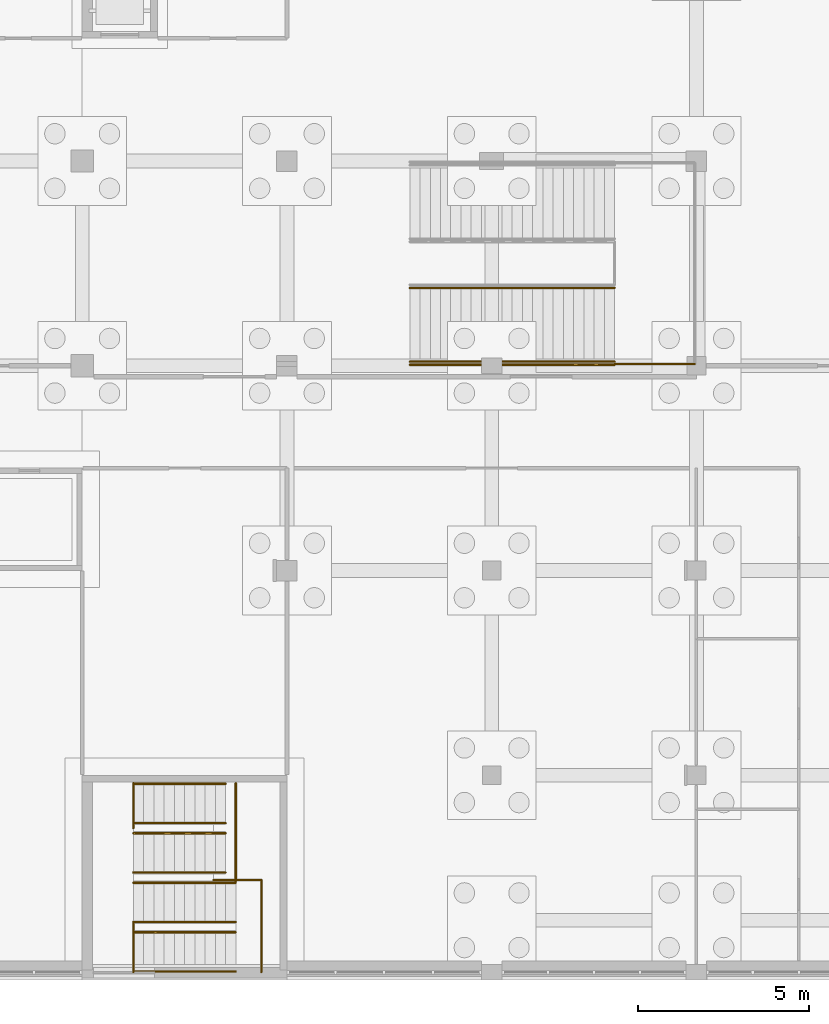
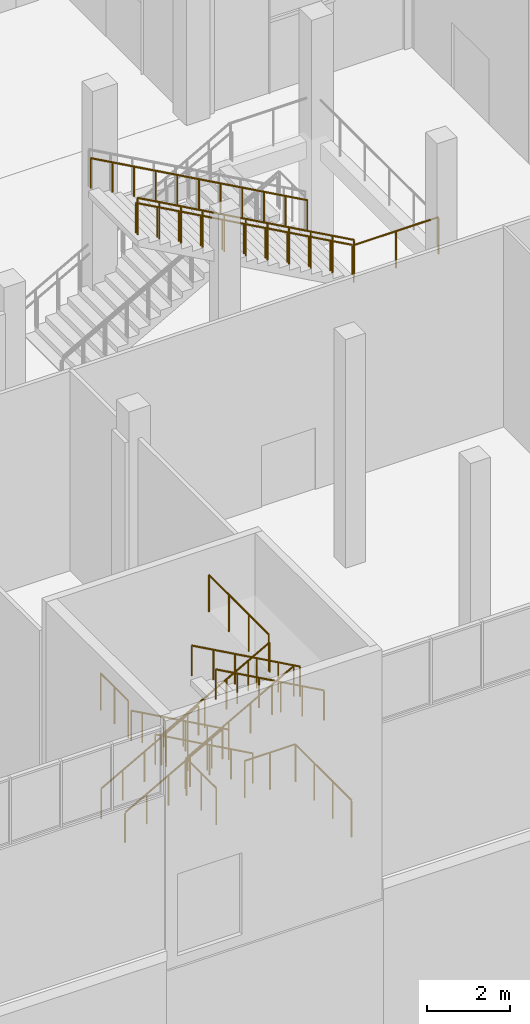
# One storey, part 63 of 95: 17 railings.
"""IFC4 building model written with IfcOpenShell, lengths in metres."""

from ifc_helpers import new_model, si_unit, direction, frame, origin, origin_2d, place, context, subcontext, project, spatial, circle, extrude, material, type_object, element, save


model = new_model("IFC4")

# Units and contexts
model_context = context("Model", 3, precision=1e-05, world=origin(), true_north=direction((0.0, 1.0)))
body_context = subcontext(model_context, "Body", "Model", "MODEL_VIEW")
ifc_project = project(units=[si_unit("LENGTHUNIT", "METRE"), si_unit("AREAUNIT", "SQUARE_METRE"), si_unit("VOLUMEUNIT", "CUBIC_METRE"), si_unit("PLANEANGLEUNIT", "RADIAN"), si_unit("MASSUNIT", "GRAM", prefix="KILO")], contexts=[model_context])

# Site, building, storey
site_placement = place(None, origin())
site = spatial("IfcSite", under=ifc_project, at=site_placement, CompositionType="ELEMENT")
building_placement = place(site_placement, origin())
building = spatial("IfcBuilding", under=site, at=building_placement, Name="Saffron Lane Theatres", CompositionType="ELEMENT")
storey_placement = place(building_placement, origin())
storey = spatial("IfcBuildingStorey", under=building, at=storey_placement, Name="L00", CompositionType="ELEMENT", Elevation=0.0)

# Railings
ifc_material_1 = material(Name="Steel Grade 350", Category="steel")
railing_type_1 = type_object("IfcRailingType", Name="VC-GUARD 1100", PredefinedType="GUARDRAIL", material=ifc_material_1)
railing_1_placement = place(storey_placement, frame((41.25, 2.89990234375, 1.666748046875)))
element("IfcRailing", 1, at=railing_1_placement, inside=storey, type_object=railing_type_1, Name="Studio South Stair landing guard 1N1s", PredefinedType="GUARDRAIL", context=body_context, shape_type="SweptSolid", body=[
    extrude(circle(Radius=0.02392578125, at=origin_2d()), frame((0.0, 0.0, 1.076171875), z_axis=(0.0, -1.0, 0.0), x_axis=(1.0, 0.0, 0.0)), (0.0, 0.0, 1.0), 2.669921875),
    extrude(circle(Radius=0.02099609375, at=origin_2d()), origin(), (0.0, 0.0, 1.0), 1.052001953125),
    extrude(circle(Radius=0.02099609375, at=origin_2d()), frame((0.0, -0.889892578125, 0.0)), (0.0, 0.0, 1.0), 1.052001953125),
    extrude(circle(Radius=0.02099609375, at=origin_2d()), frame((0.0, -1.780029296875, 0.0)), (0.0, 0.0, 1.0), 1.052001953125),
    extrude(circle(Radius=0.02099609375, at=origin_2d()), frame((0.0, -2.669921875, 0.0)), (0.0, 0.0, 1.0), 1.052001953125),
])
railing_2_placement = place(storey_placement, frame((39.85009765625, 2.929931640625, 1.666748046875)))
element("IfcRailing", 2, at=railing_2_placement, inside=storey, type_object=railing_type_1, Name="Studio South Stair landing guard 1N1e", PredefinedType="GUARDRAIL", context=body_context, shape_type="SweptSolid", body=[
    extrude(circle(Radius=0.02392578125, at=origin_2d()), frame((0.0, 0.0, 1.076171875), z_axis=(1.0, 0.0, 0.0), x_axis=(0.0, 1.0, 0.0)), (0.0, 0.0, 1.0), 1.39990234375),
    extrude(circle(Radius=0.02099609375, at=origin_2d()), origin(), (0.0, 0.0, 1.0), 1.052001953125),
    extrude(circle(Radius=0.02099609375, at=origin_2d()), frame((0.699951171875, 0.0, 0.0)), (0.0, 0.0, 1.0), 1.052001953125),
    extrude(circle(Radius=0.02099609375, at=origin_2d()), frame((1.39990234375, 0.0, 0.0)), (0.0, 0.0, 1.0), 1.052001953125),
])
railing_3_placement = place(storey_placement, frame((40.5, 5.77001953125, 5.166748046875)))
element("IfcRailing", 3, at=railing_3_placement, inside=storey, type_object=railing_type_1, Name="Studio South Stair landing guard 1N2s", PredefinedType="GUARDRAIL", context=body_context, shape_type="SweptSolid", body=[
    extrude(circle(Radius=0.02392578125, at=origin_2d()), frame((0.0, 0.0, 1.076171875), z_axis=(0.0, -1.0, 0.0), x_axis=(1.0, 0.0, 0.0)), (0.0, 0.0, 1.0), 2.8701171875),
    extrude(circle(Radius=0.02099609375, at=origin_2d()), origin(), (0.0, 0.0, 1.0), 1.052001953125),
    extrude(circle(Radius=0.02099609375, at=origin_2d()), frame((0.0, -0.956787109375, 0.0)), (0.0, 0.0, 1.0), 1.052001953125),
    extrude(circle(Radius=0.02099609375, at=origin_2d()), frame((0.0, -1.913330078125, 0.0)), (0.0, 0.0, 1.0), 1.052001953125),
    extrude(circle(Radius=0.02099609375, at=origin_2d()), frame((0.0, -2.8701171875, 0.0)), (0.0, 0.0, 1.0), 1.052001953125),
])
railing_4_placement = place(storey_placement, frame((37.5, 5.77001953125, 3.333251953125)))
element("IfcRailing", 4, at=railing_4_placement, inside=storey, type_object=railing_type_1, Name="Studio South Stair landing guard 1S2w", PredefinedType="GUARDRAIL", context=body_context, shape_type="SweptSolid", body=[
    extrude(circle(Radius=0.02392578125, at=origin_2d()), frame((0.0, 0.0, 1.076171875), z_axis=(0.0, -1.0, 0.0), x_axis=(1.0, 0.0, 0.0)), (0.0, 0.0, 1.0), 1.320068359375),
    extrude(circle(Radius=0.02099609375, at=origin_2d()), origin(), (0.0, 0.0, 1.0), 1.052001953125),
    extrude(circle(Radius=0.02099609375, at=origin_2d()), frame((0.0, -0.66015625, 0.0)), (0.0, 0.0, 1.0), 1.052001953125),
    extrude(circle(Radius=0.02099609375, at=origin_2d()), frame((0.0, -1.320068359375, 0.0)), (0.0, 0.0, 1.0), 1.052001953125),
])
railing_5_placement = place(storey_placement, frame((37.5, 1.64990234375, 3.333251953125)))
element("IfcRailing", 5, at=railing_5_placement, inside=storey, type_object=railing_type_1, Name="Studio South Stair landing guard 1S2e", PredefinedType="GUARDRAIL", context=body_context, shape_type="SweptSolid", body=[
    extrude(circle(Radius=0.02392578125, at=origin_2d()), frame((0.0, 0.0, 1.076171875), z_axis=(0.0, -1.0, 0.0), x_axis=(1.0, 0.0, 0.0)), (0.0, 0.0, 1.0), 1.419921875),
    extrude(circle(Radius=0.02099609375, at=origin_2d()), origin(), (0.0, 0.0, 1.0), 1.052001953125),
    extrude(circle(Radius=0.02099609375, at=origin_2d()), frame((0.0, -0.7099609375, 0.0)), (0.0, 0.0, 1.0), 1.052001953125),
    extrude(circle(Radius=0.02099609375, at=origin_2d()), frame((0.0, -1.419921875, 0.0)), (0.0, 0.0, 1.0), 1.052001953125),
])
railing_6_placement = place(storey_placement, frame((51.60009765625, 18.030029296875, 3.666748046875)))
element("IfcRailing", 6, at=railing_6_placement, inside=storey, type_object=railing_type_1, Name="Studio Foyer Stair flight guard 1.2b", PredefinedType="GUARDRAIL", context=body_context, shape_type="SweptSolid", body=[
    extrude(circle(Radius=0.02392578125, at=origin_2d()), frame((0.0, 0.0, 1.076171875), z_axis=(-0.874241147926, 0.0, 0.485491931212), x_axis=(0.0, -1.0, 0.0)), (0.0, 0.0, 1.0), 0.6865234375),
    extrude(circle(Radius=0.02392578125, at=origin_2d()), frame((-0.60009765625, 0.0, 1.4091796875), z_axis=(-0.874241147926, 0.0, 0.485491931212), x_axis=(0.0, -1.0, 0.0)), (0.0, 0.0, 1.0), 0.6865234375),
    extrude(circle(Radius=0.02392578125, at=origin_2d()), frame((-1.2001953125, 0.0, 1.74267578125), z_axis=(-0.874006220275, 0.0, 0.485914732151), x_axis=(0.0, -1.0, 0.0)), (0.0, 0.0, 1.0), 0.686279296875),
    extrude(circle(Radius=0.02392578125, at=origin_2d()), frame((-1.800048828125, 0.0, 2.076171875), z_axis=(-0.874241147926, 0.0, 0.485491931212), x_axis=(0.0, -1.0, 0.0)), (0.0, 0.0, 1.0), 0.6865234375),
    extrude(circle(Radius=0.02392578125, at=origin_2d()), frame((-2.400146484375, 0.0, 2.4091796875), z_axis=(-0.874157276122, 0.0, 0.485642931179), x_axis=(0.0, -1.0, 0.0)), (0.0, 0.0, 1.0), 0.686279296875),
    extrude(circle(Radius=0.02392578125, at=origin_2d()), frame((-3.0, 0.0, 2.74267578125), z_axis=(-0.874090171491, 0.0, 0.485763699861), x_axis=(0.0, -1.0, 0.0)), (0.0, 0.0, 1.0), 0.6865234375),
    extrude(circle(Radius=0.02392578125, at=origin_2d()), frame((-3.60009765625, 0.0, 3.076171875), z_axis=(-0.874241147926, 0.0, 0.485491931212), x_axis=(0.0, -1.0, 0.0)), (0.0, 0.0, 1.0), 0.6865234375),
    extrude(circle(Radius=0.02392578125, at=origin_2d()), frame((-4.2001953125, 0.0, 3.4091796875), z_axis=(-0.874157276122, 0.0, 0.485642931179), x_axis=(0.0, -1.0, 0.0)), (0.0, 0.0, 1.0), 0.686279296875),
    extrude(circle(Radius=0.02392578125, at=origin_2d()), frame((-4.800048828125, 0.0, 3.74267578125), z_axis=(-0.874090171491, 0.0, 0.485763699861), x_axis=(0.0, -1.0, 0.0)), (0.0, 0.0, 1.0), 0.6865234375),
    extrude(circle(Radius=0.02392578125, at=origin_2d()), frame((-5.400146484375, 0.0, 4.076171875), z_axis=(-0.874157276122, 0.0, 0.485642931179), x_axis=(0.0, -1.0, 0.0)), (0.0, 0.0, 1.0), 0.686279296875),
    extrude(circle(Radius=0.02099609375, at=origin_2d()), origin(), (0.0, 0.0, 1.0), 1.052001953125),
    extrude(circle(Radius=0.02099609375, at=origin_2d()), frame((-0.60009765625, 0.0, 0.333251953125)), (0.0, 0.0, 1.0), 1.052001953125),
    extrude(circle(Radius=0.02099609375, at=origin_2d()), frame((-1.2001953125, 0.0, 0.66650390625)), (0.0, 0.0, 1.0), 1.052001953125),
    extrude(circle(Radius=0.02099609375, at=origin_2d()), frame((-1.800048828125, 0.0, 1.0)), (0.0, 0.0, 1.0), 1.052001953125),
    extrude(circle(Radius=0.02099609375, at=origin_2d()), frame((-2.400146484375, 0.0, 1.333251953125)), (0.0, 0.0, 1.0), 1.052001953125),
    extrude(circle(Radius=0.02099609375, at=origin_2d()), frame((-3.0, 0.0, 1.66650390625)), (0.0, 0.0, 1.0), 1.052001953125),
    extrude(circle(Radius=0.02099609375, at=origin_2d()), frame((-3.60009765625, 0.0, 2.0)), (0.0, 0.0, 1.0), 1.052001953125),
    extrude(circle(Radius=0.02099609375, at=origin_2d()), frame((-4.2001953125, 0.0, 2.333251953125)), (0.0, 0.0, 1.0), 1.052001953125),
    extrude(circle(Radius=0.02099609375, at=origin_2d()), frame((-4.800048828125, 0.0, 2.66650390625)), (0.0, 0.0, 1.0), 1.052001953125),
    extrude(circle(Radius=0.02099609375, at=origin_2d()), frame((-5.400146484375, 0.0, 3.0)), (0.0, 0.0, 1.0), 1.052001953125),
    extrude(circle(Radius=0.02099609375, at=origin_2d()), frame((-6.0, 0.0, 3.333251953125)), (0.0, 0.0, 1.0), 1.052001953125),
])
railing_7_placement = place(storey_placement, frame((51.60009765625, 18.050048828125, 3.5)))
element("IfcRailing", 7, at=railing_7_placement, inside=storey, type_object=railing_type_1, Name="Studio Foyer Stair landing guard 1m-east", PredefinedType="GUARDRAIL", context=body_context, shape_type="SweptSolid", body=[
    extrude(circle(Radius=0.02392578125, at=origin_2d()), frame((0.0, 0.0, 1.076171875), z_axis=(1.0, 0.0, 0.0), x_axis=(0.0, 1.0, 0.0)), (0.0, 0.0, 1.0), 2.349853515625),
    extrude(circle(Radius=0.02099609375, at=origin_2d()), origin(), (0.0, 0.0, 1.0), 1.052001953125),
    extrude(circle(Radius=0.02099609375, at=origin_2d()), frame((1.1748046875, 0.0, 0.0)), (0.0, 0.0, 1.0), 1.052001953125),
    extrude(circle(Radius=0.02099609375, at=origin_2d()), frame((2.349853515625, 0.0, 0.0)), (0.0, 0.0, 1.0), 1.052001953125),
])
ifc_material_2 = material(Name="Steel Grade 350", Category="steel")
railing_type_2 = type_object("IfcRailingType", Name="VC-HANDRAIL 900", PredefinedType="HANDRAIL", material=ifc_material_2)
railing_8_placement = place(storey_placement, frame((37.5, 5.75, 0.166748046875)))
element("IfcRailing", 8, at=railing_8_placement, inside=storey, type_object=railing_type_2, Name="Studio South Stair handrail 1.1a", PredefinedType="HANDRAIL", context=body_context, shape_type="SweptSolid", body=[
    extrude(circle(Radius=0.02392578125, at=origin_2d()), frame((0.0, 0.0, 0.8759765625), z_axis=(0.874241147926, 0.0, 0.485491931212), x_axis=(0.0, 1.0, 0.0)), (0.0, 0.0, 1.0), 0.6865234375),
    extrude(circle(Radius=0.02392578125, at=origin_2d()), frame((0.60009765625, 0.0, 1.208984375), z_axis=(0.874157276122, 0.0, 0.485642931179), x_axis=(0.0, 1.0, 0.0)), (0.0, 0.0, 1.0), 0.686279296875),
    extrude(circle(Radius=0.02392578125, at=origin_2d()), frame((1.199951171875, 0.0, 1.54248046875), z_axis=(0.874090171491, 0.0, 0.485763699861), x_axis=(0.0, 1.0, 0.0)), (0.0, 0.0, 1.0), 0.6865234375),
    extrude(circle(Radius=0.02392578125, at=origin_2d()), frame((1.800048828125, 0.0, 1.8759765625), z_axis=(0.874157276122, 0.0, 0.485642931179), x_axis=(0.0, 1.0, 0.0)), (0.0, 0.0, 1.0), 0.686279296875),
    extrude(circle(Radius=0.02392578125, at=origin_2d()), frame((2.39990234375, 0.0, 2.208984375), z_axis=(0.874090171491, 0.0, 0.485763699861), x_axis=(0.0, 1.0, 0.0)), (0.0, 0.0, 1.0), 0.34326171875),
    extrude(circle(Radius=0.02099609375, at=origin_2d()), origin(), (0.0, 0.0, 1.0), 0.851806640625),
    extrude(circle(Radius=0.02099609375, at=origin_2d()), frame((0.60009765625, 0.0, 0.333251953125)), (0.0, 0.0, 1.0), 0.851806640625),
    extrude(circle(Radius=0.02099609375, at=origin_2d()), frame((1.199951171875, 0.0, 0.66650390625)), (0.0, 0.0, 1.0), 0.851806640625),
    extrude(circle(Radius=0.02099609375, at=origin_2d()), frame((1.800048828125, 0.0, 1.0)), (0.0, 0.0, 1.0), 0.851806640625),
    extrude(circle(Radius=0.02099609375, at=origin_2d()), frame((2.39990234375, 0.0, 1.333251953125)), (0.0, 0.0, 1.0), 0.851806640625),
    extrude(circle(Radius=0.02099609375, at=origin_2d()), frame((2.699951171875, 0.0, 1.5)), (0.0, 0.0, 1.0), 0.851806640625),
])
railing_9_placement = place(storey_placement, frame((37.5, 4.60009765625, 0.166748046875)))
element("IfcRailing", 9, at=railing_9_placement, inside=storey, type_object=railing_type_2, Name="Studio South Stair handrail 1.1b", PredefinedType="HANDRAIL", context=body_context, shape_type="SweptSolid", body=[
    extrude(circle(Radius=0.02392578125, at=origin_2d()), frame((0.0, 0.0, 0.8759765625), z_axis=(0.874241147926, 0.0, 0.485491931212), x_axis=(0.0, 1.0, 0.0)), (0.0, 0.0, 1.0), 0.6865234375),
    extrude(circle(Radius=0.02392578125, at=origin_2d()), frame((0.60009765625, 0.0, 1.208984375), z_axis=(0.874157276122, 0.0, 0.485642931179), x_axis=(0.0, 1.0, 0.0)), (0.0, 0.0, 1.0), 0.686279296875),
    extrude(circle(Radius=0.02392578125, at=origin_2d()), frame((1.199951171875, 0.0, 1.54248046875), z_axis=(0.874090171491, 0.0, 0.485763699861), x_axis=(0.0, 1.0, 0.0)), (0.0, 0.0, 1.0), 0.6865234375),
    extrude(circle(Radius=0.02392578125, at=origin_2d()), frame((1.800048828125, 0.0, 1.8759765625), z_axis=(0.874157276122, 0.0, 0.485642931179), x_axis=(0.0, 1.0, 0.0)), (0.0, 0.0, 1.0), 0.686279296875),
    extrude(circle(Radius=0.02392578125, at=origin_2d()), frame((2.39990234375, 0.0, 2.208984375), z_axis=(0.874090171491, 0.0, 0.485763699861), x_axis=(0.0, 1.0, 0.0)), (0.0, 0.0, 1.0), 0.34326171875),
    extrude(circle(Radius=0.02099609375, at=origin_2d()), origin(), (0.0, 0.0, 1.0), 0.851806640625),
    extrude(circle(Radius=0.02099609375, at=origin_2d()), frame((0.60009765625, 0.0, 0.333251953125)), (0.0, 0.0, 1.0), 0.851806640625),
    extrude(circle(Radius=0.02099609375, at=origin_2d()), frame((1.199951171875, 0.0, 0.66650390625)), (0.0, 0.0, 1.0), 0.851806640625),
    extrude(circle(Radius=0.02099609375, at=origin_2d()), frame((1.800048828125, 0.0, 1.0)), (0.0, 0.0, 1.0), 0.851806640625),
    extrude(circle(Radius=0.02099609375, at=origin_2d()), frame((2.39990234375, 0.0, 1.333251953125)), (0.0, 0.0, 1.0), 0.851806640625),
    extrude(circle(Radius=0.02099609375, at=origin_2d()), frame((2.699951171875, 0.0, 1.5)), (0.0, 0.0, 1.0), 0.851806640625),
])
railing_10_placement = place(storey_placement, frame((40.199951171875, 4.300048828125, 1.833251953125)))
element("IfcRailing", 10, at=railing_10_placement, inside=storey, type_object=railing_type_2, Name="Studio South Stair handrail 1.2a", PredefinedType="HANDRAIL", context=body_context, shape_type="SweptSolid", body=[
    extrude(circle(Radius=0.02392578125, at=origin_2d()), frame((0.0, 0.0, 0.8759765625), z_axis=(-0.874006220275, 0.0, 0.485914732151), x_axis=(0.0, -1.0, 0.0)), (0.0, 0.0, 1.0), 0.686279296875),
    extrude(circle(Radius=0.02392578125, at=origin_2d()), frame((-0.599853515625, 0.0, 1.20947265625), z_axis=(-0.874241147926, 0.0, 0.485491931212), x_axis=(0.0, -1.0, 0.0)), (0.0, 0.0, 1.0), 0.6865234375),
    extrude(circle(Radius=0.02392578125, at=origin_2d()), frame((-1.199951171875, 0.0, 1.54248046875), z_axis=(-0.874241147926, 0.0, 0.485491931212), x_axis=(0.0, -1.0, 0.0)), (0.0, 0.0, 1.0), 0.6865234375),
    extrude(circle(Radius=0.02392578125, at=origin_2d()), frame((-1.800048828125, 0.0, 1.8759765625), z_axis=(-0.874006220275, 0.0, 0.485914732151), x_axis=(0.0, -1.0, 0.0)), (0.0, 0.0, 1.0), 0.686279296875),
    extrude(circle(Radius=0.02392578125, at=origin_2d()), frame((-2.39990234375, 0.0, 2.20947265625), z_axis=(-0.87439209197, 0.0, 0.485220021744), x_axis=(0.0, -1.0, 0.0)), (0.0, 0.0, 1.0), 0.34326171875),
    extrude(circle(Radius=0.02099609375, at=origin_2d()), origin(), (0.0, 0.0, 1.0), 0.851806640625),
    extrude(circle(Radius=0.02099609375, at=origin_2d()), frame((-0.599853515625, 0.0, 0.33349609375)), (0.0, 0.0, 1.0), 0.851806640625),
    extrude(circle(Radius=0.02099609375, at=origin_2d()), frame((-1.199951171875, 0.0, 0.666748046875)), (0.0, 0.0, 1.0), 0.851806640625),
    extrude(circle(Radius=0.02099609375, at=origin_2d()), frame((-1.800048828125, 0.0, 1.0)), (0.0, 0.0, 1.0), 0.851806640625),
    extrude(circle(Radius=0.02099609375, at=origin_2d()), frame((-2.39990234375, 0.0, 1.33349609375)), (0.0, 0.0, 1.0), 0.851806640625),
    extrude(circle(Radius=0.02099609375, at=origin_2d()), frame((-2.699951171875, 0.0, 1.5)), (0.0, 0.0, 1.0), 0.851806640625),
])
railing_11_placement = place(storey_placement, frame((40.199951171875, 3.14990234375, 1.833251953125)))
element("IfcRailing", 11, at=railing_11_placement, inside=storey, type_object=railing_type_2, Name="Studio South Stair handrail 1.2b", PredefinedType="HANDRAIL", context=body_context, shape_type="SweptSolid", body=[
    extrude(circle(Radius=0.02392578125, at=origin_2d()), frame((0.0, 0.0, 0.8759765625), z_axis=(-0.874006220275, 0.0, 0.485914732151), x_axis=(0.0, -1.0, 0.0)), (0.0, 0.0, 1.0), 0.686279296875),
    extrude(circle(Radius=0.02392578125, at=origin_2d()), frame((-0.599853515625, 0.0, 1.20947265625), z_axis=(-0.874241147926, 0.0, 0.485491931212), x_axis=(0.0, -1.0, 0.0)), (0.0, 0.0, 1.0), 0.6865234375),
    extrude(circle(Radius=0.02392578125, at=origin_2d()), frame((-1.199951171875, 0.0, 1.54248046875), z_axis=(-0.874241147926, 0.0, 0.485491931212), x_axis=(0.0, -1.0, 0.0)), (0.0, 0.0, 1.0), 0.6865234375),
    extrude(circle(Radius=0.02392578125, at=origin_2d()), frame((-1.800048828125, 0.0, 1.8759765625), z_axis=(-0.874006220275, 0.0, 0.485914732151), x_axis=(0.0, -1.0, 0.0)), (0.0, 0.0, 1.0), 0.686279296875),
    extrude(circle(Radius=0.02392578125, at=origin_2d()), frame((-2.39990234375, 0.0, 2.20947265625), z_axis=(-0.87439209197, 0.0, 0.485220021744), x_axis=(0.0, -1.0, 0.0)), (0.0, 0.0, 1.0), 0.34326171875),
    extrude(circle(Radius=0.02099609375, at=origin_2d()), origin(), (0.0, 0.0, 1.0), 0.851806640625),
    extrude(circle(Radius=0.02099609375, at=origin_2d()), frame((-0.599853515625, 0.0, 0.33349609375)), (0.0, 0.0, 1.0), 0.851806640625),
    extrude(circle(Radius=0.02099609375, at=origin_2d()), frame((-1.199951171875, 0.0, 0.666748046875)), (0.0, 0.0, 1.0), 0.851806640625),
    extrude(circle(Radius=0.02099609375, at=origin_2d()), frame((-1.800048828125, 0.0, 1.0)), (0.0, 0.0, 1.0), 0.851806640625),
    extrude(circle(Radius=0.02099609375, at=origin_2d()), frame((-2.39990234375, 0.0, 1.33349609375)), (0.0, 0.0, 1.0), 0.851806640625),
    extrude(circle(Radius=0.02099609375, at=origin_2d()), frame((-2.699951171875, 0.0, 1.5)), (0.0, 0.0, 1.0), 0.851806640625),
])
railing_12_placement = place(storey_placement, frame((37.5, 2.85009765625, 3.5)))
element("IfcRailing", 12, at=railing_12_placement, inside=storey, type_object=railing_type_2, Name="Studio South Stair handrail 1.3a", PredefinedType="HANDRAIL", context=body_context, shape_type="SweptSolid", body=[
    extrude(circle(Radius=0.02392578125, at=origin_2d()), frame((0.0, 0.0, 0.8759765625), z_axis=(0.874241147926, 0.0, 0.485491931212), x_axis=(0.0, 1.0, 0.0)), (0.0, 0.0, 1.0), 0.6865234375),
    extrude(circle(Radius=0.02392578125, at=origin_2d()), frame((0.60009765625, 0.0, 1.208984375), z_axis=(0.874006220275, 0.0, 0.485914732151), x_axis=(0.0, 1.0, 0.0)), (0.0, 0.0, 1.0), 0.686279296875),
    extrude(circle(Radius=0.02392578125, at=origin_2d()), frame((1.199951171875, 0.0, 1.54248046875), z_axis=(0.874241147926, 0.0, 0.485491931212), x_axis=(0.0, 1.0, 0.0)), (0.0, 0.0, 1.0), 0.6865234375),
    extrude(circle(Radius=0.02392578125, at=origin_2d()), frame((1.800048828125, 0.0, 1.8759765625), z_axis=(0.874157276122, 0.0, 0.485642931179), x_axis=(0.0, 1.0, 0.0)), (0.0, 0.0, 1.0), 0.686279296875),
    extrude(circle(Radius=0.02392578125, at=origin_2d()), frame((2.39990234375, 0.0, 2.208984375), z_axis=(0.874090171491, 0.0, 0.485763699861), x_axis=(0.0, 1.0, 0.0)), (0.0, 0.0, 1.0), 0.6865234375),
    extrude(circle(Radius=0.02099609375, at=origin_2d()), origin(), (0.0, 0.0, 1.0), 0.851806640625),
    extrude(circle(Radius=0.02099609375, at=origin_2d()), frame((0.60009765625, 0.0, 0.333251953125)), (0.0, 0.0, 1.0), 0.851806640625),
    extrude(circle(Radius=0.02099609375, at=origin_2d()), frame((1.199951171875, 0.0, 0.666748046875)), (0.0, 0.0, 1.0), 0.851806640625),
    extrude(circle(Radius=0.02099609375, at=origin_2d()), frame((1.800048828125, 0.0, 1.0)), (0.0, 0.0, 1.0), 0.851806640625),
    extrude(circle(Radius=0.02099609375, at=origin_2d()), frame((2.39990234375, 0.0, 1.333251953125)), (0.0, 0.0, 1.0), 0.851806640625),
    extrude(circle(Radius=0.02099609375, at=origin_2d()), frame((3.0, 0.0, 1.666748046875)), (0.0, 0.0, 1.0), 0.851806640625),
])
railing_13_placement = place(storey_placement, frame((37.5, 1.699951171875, 3.5)))
element("IfcRailing", 13, at=railing_13_placement, inside=storey, type_object=railing_type_2, Name="Studio South Stair handrail 1.3b", PredefinedType="HANDRAIL", context=body_context, shape_type="SweptSolid", body=[
    extrude(circle(Radius=0.02392578125, at=origin_2d()), frame((0.0, 0.0, 0.8759765625), z_axis=(0.874241147926, 0.0, 0.485491931212), x_axis=(0.0, 1.0, 0.0)), (0.0, 0.0, 1.0), 0.6865234375),
    extrude(circle(Radius=0.02392578125, at=origin_2d()), frame((0.60009765625, 0.0, 1.208984375), z_axis=(0.874006220275, 0.0, 0.485914732151), x_axis=(0.0, 1.0, 0.0)), (0.0, 0.0, 1.0), 0.686279296875),
    extrude(circle(Radius=0.02392578125, at=origin_2d()), frame((1.199951171875, 0.0, 1.54248046875), z_axis=(0.874241147926, 0.0, 0.485491931212), x_axis=(0.0, 1.0, 0.0)), (0.0, 0.0, 1.0), 0.6865234375),
    extrude(circle(Radius=0.02392578125, at=origin_2d()), frame((1.800048828125, 0.0, 1.8759765625), z_axis=(0.874157276122, 0.0, 0.485642931179), x_axis=(0.0, 1.0, 0.0)), (0.0, 0.0, 1.0), 0.686279296875),
    extrude(circle(Radius=0.02392578125, at=origin_2d()), frame((2.39990234375, 0.0, 2.208984375), z_axis=(0.874090171491, 0.0, 0.485763699861), x_axis=(0.0, 1.0, 0.0)), (0.0, 0.0, 1.0), 0.6865234375),
    extrude(circle(Radius=0.02099609375, at=origin_2d()), origin(), (0.0, 0.0, 1.0), 0.851806640625),
    extrude(circle(Radius=0.02099609375, at=origin_2d()), frame((0.60009765625, 0.0, 0.333251953125)), (0.0, 0.0, 1.0), 0.851806640625),
    extrude(circle(Radius=0.02099609375, at=origin_2d()), frame((1.199951171875, 0.0, 0.666748046875)), (0.0, 0.0, 1.0), 0.851806640625),
    extrude(circle(Radius=0.02099609375, at=origin_2d()), frame((1.800048828125, 0.0, 1.0)), (0.0, 0.0, 1.0), 0.851806640625),
    extrude(circle(Radius=0.02099609375, at=origin_2d()), frame((2.39990234375, 0.0, 1.333251953125)), (0.0, 0.0, 1.0), 0.851806640625),
    extrude(circle(Radius=0.02099609375, at=origin_2d()), frame((3.0, 0.0, 1.666748046875)), (0.0, 0.0, 1.0), 0.851806640625),
])
railing_14_placement = place(storey_placement, frame((40.5, 1.39990234375, 5.333251953125)))
element("IfcRailing", 14, at=railing_14_placement, inside=storey, type_object=railing_type_2, Name="Studio South Stair handrail 1.4a", PredefinedType="HANDRAIL", context=body_context, shape_type="SweptSolid", body=[
    extrude(circle(Radius=0.02392578125, at=origin_2d()), frame((0.0, 0.0, 0.8759765625), z_axis=(-0.874090171491, 0.0, 0.485763699861), x_axis=(0.0, -1.0, 0.0)), (0.0, 0.0, 1.0), 0.6865234375),
    extrude(circle(Radius=0.02392578125, at=origin_2d()), frame((-0.60009765625, 0.0, 1.20947265625), z_axis=(-0.874157276122, 0.0, 0.485642931179), x_axis=(0.0, -1.0, 0.0)), (0.0, 0.0, 1.0), 0.686279296875),
    extrude(circle(Radius=0.02392578125, at=origin_2d()), frame((-1.199951171875, 0.0, 1.54248046875), z_axis=(-0.874241147926, 0.0, 0.485491931212), x_axis=(0.0, -1.0, 0.0)), (0.0, 0.0, 1.0), 0.6865234375),
    extrude(circle(Radius=0.02392578125, at=origin_2d()), frame((-1.800048828125, 0.0, 1.8759765625), z_axis=(-0.874006220275, 0.0, 0.485914732151), x_axis=(0.0, -1.0, 0.0)), (0.0, 0.0, 1.0), 0.686279296875),
    extrude(circle(Radius=0.02392578125, at=origin_2d()), frame((-2.39990234375, 0.0, 2.20947265625), z_axis=(-0.874241147926, 0.0, 0.485491931212), x_axis=(0.0, -1.0, 0.0)), (0.0, 0.0, 1.0), 0.6865234375),
    extrude(circle(Radius=0.02099609375, at=origin_2d()), origin(), (0.0, 0.0, 1.0), 0.851806640625),
    extrude(circle(Radius=0.02099609375, at=origin_2d()), frame((-0.60009765625, 0.0, 0.33349609375)), (0.0, 0.0, 1.0), 0.851806640625),
    extrude(circle(Radius=0.02099609375, at=origin_2d()), frame((-1.199951171875, 0.0, 0.666748046875)), (0.0, 0.0, 1.0), 0.851806640625),
    extrude(circle(Radius=0.02099609375, at=origin_2d()), frame((-1.800048828125, 0.0, 1.0)), (0.0, 0.0, 1.0), 0.851806640625),
    extrude(circle(Radius=0.02099609375, at=origin_2d()), frame((-2.39990234375, 0.0, 1.33349609375)), (0.0, 0.0, 1.0), 0.851806640625),
    extrude(circle(Radius=0.02099609375, at=origin_2d()), frame((-3.0, 0.0, 1.666748046875)), (0.0, 0.0, 1.0), 0.851806640625),
])
railing_15_placement = place(storey_placement, frame((40.5, 0.25, 5.333251953125)))
element("IfcRailing", 15, at=railing_15_placement, inside=storey, type_object=railing_type_2, Name="Studio South Stair handrail 1.4b", PredefinedType="HANDRAIL", context=body_context, shape_type="SweptSolid", body=[
    extrude(circle(Radius=0.02392578125, at=origin_2d()), frame((0.0, 0.0, 0.8759765625), z_axis=(-0.874090171491, 0.0, 0.485763699861), x_axis=(0.0, -1.0, 0.0)), (0.0, 0.0, 1.0), 0.6865234375),
    extrude(circle(Radius=0.02392578125, at=origin_2d()), frame((-0.60009765625, 0.0, 1.20947265625), z_axis=(-0.874157276122, 0.0, 0.485642931179), x_axis=(0.0, -1.0, 0.0)), (0.0, 0.0, 1.0), 0.686279296875),
    extrude(circle(Radius=0.02392578125, at=origin_2d()), frame((-1.199951171875, 0.0, 1.54248046875), z_axis=(-0.874241147926, 0.0, 0.485491931212), x_axis=(0.0, -1.0, 0.0)), (0.0, 0.0, 1.0), 0.6865234375),
    extrude(circle(Radius=0.02392578125, at=origin_2d()), frame((-1.800048828125, 0.0, 1.8759765625), z_axis=(-0.874006220275, 0.0, 0.485914732151), x_axis=(0.0, -1.0, 0.0)), (0.0, 0.0, 1.0), 0.686279296875),
    extrude(circle(Radius=0.02392578125, at=origin_2d()), frame((-2.39990234375, 0.0, 2.20947265625), z_axis=(-0.874241147926, 0.0, 0.485491931212), x_axis=(0.0, -1.0, 0.0)), (0.0, 0.0, 1.0), 0.6865234375),
    extrude(circle(Radius=0.02099609375, at=origin_2d()), origin(), (0.0, 0.0, 1.0), 0.851806640625),
    extrude(circle(Radius=0.02099609375, at=origin_2d()), frame((-0.60009765625, 0.0, 0.33349609375)), (0.0, 0.0, 1.0), 0.851806640625),
    extrude(circle(Radius=0.02099609375, at=origin_2d()), frame((-1.199951171875, 0.0, 0.666748046875)), (0.0, 0.0, 1.0), 0.851806640625),
    extrude(circle(Radius=0.02099609375, at=origin_2d()), frame((-1.800048828125, 0.0, 1.0)), (0.0, 0.0, 1.0), 0.851806640625),
    extrude(circle(Radius=0.02099609375, at=origin_2d()), frame((-2.39990234375, 0.0, 1.33349609375)), (0.0, 0.0, 1.0), 0.851806640625),
    extrude(circle(Radius=0.02099609375, at=origin_2d()), frame((-3.0, 0.0, 1.666748046875)), (0.0, 0.0, 1.0), 0.851806640625),
])
railing_16_placement = place(storey_placement, frame((51.60009765625, 20.280029296875, 3.666748046875)))
element("IfcRailing", 16, at=railing_16_placement, inside=storey, type_object=railing_type_2, Name="Studio Foyer Stair handrail 1.2a", PredefinedType="HANDRAIL", context=body_context, shape_type="SweptSolid", body=[
    extrude(circle(Radius=0.02392578125, at=origin_2d()), frame((0.0, 0.0, 0.8759765625), z_axis=(-0.874241147926, 0.0, 0.485491931212), x_axis=(0.0, -1.0, 0.0)), (0.0, 0.0, 1.0), 0.6865234375),
    extrude(circle(Radius=0.02392578125, at=origin_2d()), frame((-0.60009765625, 0.0, 1.208984375), z_axis=(-0.874241147926, 0.0, 0.485491931212), x_axis=(0.0, -1.0, 0.0)), (0.0, 0.0, 1.0), 0.6865234375),
    extrude(circle(Radius=0.02392578125, at=origin_2d()), frame((-1.2001953125, 0.0, 1.54248046875), z_axis=(-0.874006220275, 0.0, 0.485914732151), x_axis=(0.0, -1.0, 0.0)), (0.0, 0.0, 1.0), 0.686279296875),
    extrude(circle(Radius=0.02392578125, at=origin_2d()), frame((-1.800048828125, 0.0, 1.8759765625), z_axis=(-0.874241147926, 0.0, 0.485491931212), x_axis=(0.0, -1.0, 0.0)), (0.0, 0.0, 1.0), 0.6865234375),
    extrude(circle(Radius=0.02392578125, at=origin_2d()), frame((-2.400146484375, 0.0, 2.208984375), z_axis=(-0.874157276122, 0.0, 0.485642931179), x_axis=(0.0, -1.0, 0.0)), (0.0, 0.0, 1.0), 0.686279296875),
    extrude(circle(Radius=0.02392578125, at=origin_2d()), frame((-3.0, 0.0, 2.54248046875), z_axis=(-0.874090171491, 0.0, 0.485763699861), x_axis=(0.0, -1.0, 0.0)), (0.0, 0.0, 1.0), 0.6865234375),
    extrude(circle(Radius=0.02392578125, at=origin_2d()), frame((-3.60009765625, 0.0, 2.8759765625), z_axis=(-0.874241147926, 0.0, 0.485491931212), x_axis=(0.0, -1.0, 0.0)), (0.0, 0.0, 1.0), 0.6865234375),
    extrude(circle(Radius=0.02392578125, at=origin_2d()), frame((-4.2001953125, 0.0, 3.208984375), z_axis=(-0.874157276122, 0.0, 0.485642931179), x_axis=(0.0, -1.0, 0.0)), (0.0, 0.0, 1.0), 0.686279296875),
    extrude(circle(Radius=0.02392578125, at=origin_2d()), frame((-4.800048828125, 0.0, 3.54248046875), z_axis=(-0.874090171491, 0.0, 0.485763699861), x_axis=(0.0, -1.0, 0.0)), (0.0, 0.0, 1.0), 0.6865234375),
    extrude(circle(Radius=0.02392578125, at=origin_2d()), frame((-5.400146484375, 0.0, 3.8759765625), z_axis=(-0.874157276122, 0.0, 0.485642931179), x_axis=(0.0, -1.0, 0.0)), (0.0, 0.0, 1.0), 0.686279296875),
    extrude(circle(Radius=0.02099609375, at=origin_2d()), origin(), (0.0, 0.0, 1.0), 0.851806640625),
    extrude(circle(Radius=0.02099609375, at=origin_2d()), frame((-0.60009765625, 0.0, 0.333251953125)), (0.0, 0.0, 1.0), 0.851806640625),
    extrude(circle(Radius=0.02099609375, at=origin_2d()), frame((-1.2001953125, 0.0, 0.66650390625)), (0.0, 0.0, 1.0), 0.851806640625),
    extrude(circle(Radius=0.02099609375, at=origin_2d()), frame((-1.800048828125, 0.0, 1.0)), (0.0, 0.0, 1.0), 0.851806640625),
    extrude(circle(Radius=0.02099609375, at=origin_2d()), frame((-2.400146484375, 0.0, 1.333251953125)), (0.0, 0.0, 1.0), 0.851806640625),
    extrude(circle(Radius=0.02099609375, at=origin_2d()), frame((-3.0, 0.0, 1.66650390625)), (0.0, 0.0, 1.0), 0.851806640625),
    extrude(circle(Radius=0.02099609375, at=origin_2d()), frame((-3.60009765625, 0.0, 2.0)), (0.0, 0.0, 1.0), 0.851806640625),
    extrude(circle(Radius=0.02099609375, at=origin_2d()), frame((-4.2001953125, 0.0, 2.333251953125)), (0.0, 0.0, 1.0), 0.851806640625),
    extrude(circle(Radius=0.02099609375, at=origin_2d()), frame((-4.800048828125, 0.0, 2.66650390625)), (0.0, 0.0, 1.0), 0.851806640625),
    extrude(circle(Radius=0.02099609375, at=origin_2d()), frame((-5.400146484375, 0.0, 3.0)), (0.0, 0.0, 1.0), 0.851806640625),
    extrude(circle(Radius=0.02099609375, at=origin_2d()), frame((-6.0, 0.0, 3.333251953125)), (0.0, 0.0, 1.0), 0.851806640625),
])
railing_17_placement = place(storey_placement, frame((51.60009765625, 18.1201171875, 3.666748046875)))
element("IfcRailing", 17, at=railing_17_placement, inside=storey, type_object=railing_type_2, Name="Studio Foyer Stair handrail 1.2b", PredefinedType="HANDRAIL", context=body_context, shape_type="SweptSolid", body=[
    extrude(circle(Radius=0.02392578125, at=origin_2d()), frame((0.0, 0.0, 0.8759765625), z_axis=(-0.874241147926, 0.0, 0.485491931212), x_axis=(0.0, -1.0, 0.0)), (0.0, 0.0, 1.0), 0.6865234375),
    extrude(circle(Radius=0.02392578125, at=origin_2d()), frame((-0.60009765625, 0.0, 1.208984375), z_axis=(-0.874241147926, 0.0, 0.485491931212), x_axis=(0.0, -1.0, 0.0)), (0.0, 0.0, 1.0), 0.6865234375),
    extrude(circle(Radius=0.02392578125, at=origin_2d()), frame((-1.2001953125, 0.0, 1.54248046875), z_axis=(-0.874006220275, 0.0, 0.485914732151), x_axis=(0.0, -1.0, 0.0)), (0.0, 0.0, 1.0), 0.686279296875),
    extrude(circle(Radius=0.02392578125, at=origin_2d()), frame((-1.800048828125, 0.0, 1.8759765625), z_axis=(-0.874241147926, 0.0, 0.485491931212), x_axis=(0.0, -1.0, 0.0)), (0.0, 0.0, 1.0), 0.6865234375),
    extrude(circle(Radius=0.02392578125, at=origin_2d()), frame((-2.400146484375, 0.0, 2.208984375), z_axis=(-0.874157276122, 0.0, 0.485642931179), x_axis=(0.0, -1.0, 0.0)), (0.0, 0.0, 1.0), 0.686279296875),
    extrude(circle(Radius=0.02392578125, at=origin_2d()), frame((-3.0, 0.0, 2.54248046875), z_axis=(-0.874090171491, 0.0, 0.485763699861), x_axis=(0.0, -1.0, 0.0)), (0.0, 0.0, 1.0), 0.6865234375),
    extrude(circle(Radius=0.02392578125, at=origin_2d()), frame((-3.60009765625, 0.0, 2.8759765625), z_axis=(-0.874241147926, 0.0, 0.485491931212), x_axis=(0.0, -1.0, 0.0)), (0.0, 0.0, 1.0), 0.6865234375),
    extrude(circle(Radius=0.02392578125, at=origin_2d()), frame((-4.2001953125, 0.0, 3.208984375), z_axis=(-0.874157276122, 0.0, 0.485642931179), x_axis=(0.0, -1.0, 0.0)), (0.0, 0.0, 1.0), 0.686279296875),
    extrude(circle(Radius=0.02392578125, at=origin_2d()), frame((-4.800048828125, 0.0, 3.54248046875), z_axis=(-0.874090171491, 0.0, 0.485763699861), x_axis=(0.0, -1.0, 0.0)), (0.0, 0.0, 1.0), 0.6865234375),
    extrude(circle(Radius=0.02392578125, at=origin_2d()), frame((-5.400146484375, 0.0, 3.8759765625), z_axis=(-0.874157276122, 0.0, 0.485642931179), x_axis=(0.0, -1.0, 0.0)), (0.0, 0.0, 1.0), 0.686279296875),
    extrude(circle(Radius=0.02099609375, at=origin_2d()), origin(), (0.0, 0.0, 1.0), 0.851806640625),
    extrude(circle(Radius=0.02099609375, at=origin_2d()), frame((-0.60009765625, 0.0, 0.333251953125)), (0.0, 0.0, 1.0), 0.851806640625),
    extrude(circle(Radius=0.02099609375, at=origin_2d()), frame((-1.2001953125, 0.0, 0.66650390625)), (0.0, 0.0, 1.0), 0.851806640625),
    extrude(circle(Radius=0.02099609375, at=origin_2d()), frame((-1.800048828125, 0.0, 1.0)), (0.0, 0.0, 1.0), 0.851806640625),
    extrude(circle(Radius=0.02099609375, at=origin_2d()), frame((-2.400146484375, 0.0, 1.333251953125)), (0.0, 0.0, 1.0), 0.851806640625),
    extrude(circle(Radius=0.02099609375, at=origin_2d()), frame((-3.0, 0.0, 1.66650390625)), (0.0, 0.0, 1.0), 0.851806640625),
    extrude(circle(Radius=0.02099609375, at=origin_2d()), frame((-3.60009765625, 0.0, 2.0)), (0.0, 0.0, 1.0), 0.851806640625),
    extrude(circle(Radius=0.02099609375, at=origin_2d()), frame((-4.2001953125, 0.0, 2.333251953125)), (0.0, 0.0, 1.0), 0.851806640625),
    extrude(circle(Radius=0.02099609375, at=origin_2d()), frame((-4.800048828125, 0.0, 2.66650390625)), (0.0, 0.0, 1.0), 0.851806640625),
    extrude(circle(Radius=0.02099609375, at=origin_2d()), frame((-5.400146484375, 0.0, 3.0)), (0.0, 0.0, 1.0), 0.851806640625),
    extrude(circle(Radius=0.02099609375, at=origin_2d()), frame((-6.0, 0.0, 3.333251953125)), (0.0, 0.0, 1.0), 0.851806640625),
])

save(model, "model.ifc")
